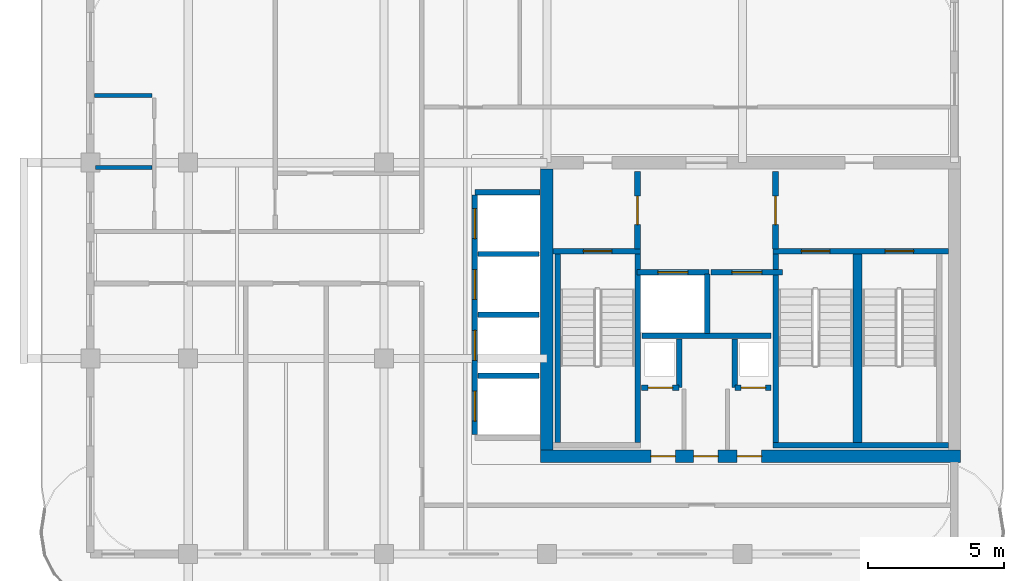
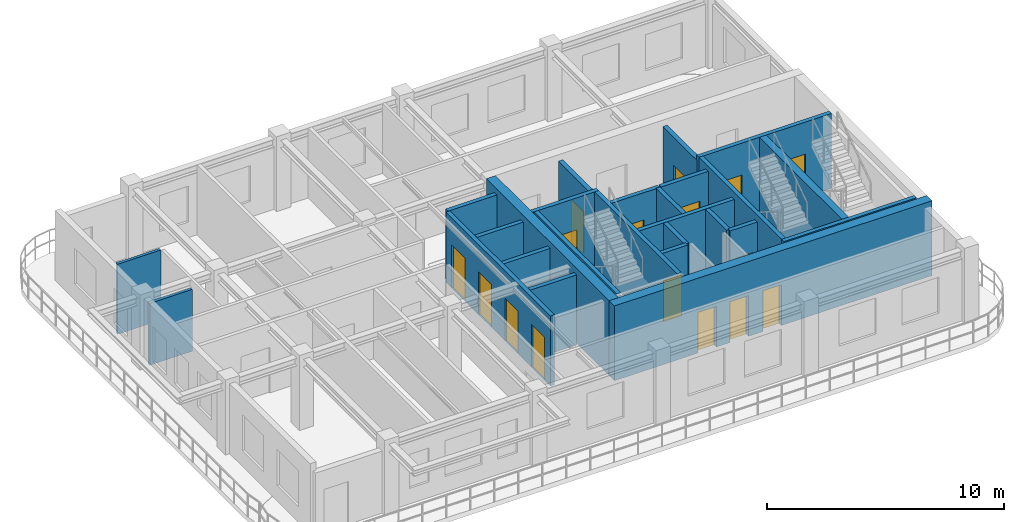
# One storey, part 3 of 7: 26 walls, 16 doors, 16 openings.
"""IFC4 building model written with IfcOpenShell, lengths in metres."""

from ifc_helpers import new_model, si_unit, derived_unit, direction, frame, frame_2d, origin, place, context, subcontext, project, spatial, rectangle, extrude, source, transform, mapped, material, layer, layer_set, type_object, type_shapes, element, fill, save


model = new_model("IFC4")

# Units and contexts
model_context = context("Model", 3, precision=1e-05, world=origin(), true_north=direction((0.0, 1.0)))
body_context = subcontext(model_context, "Body", "Model", "MODEL_VIEW")
ifc_project = project(units=[si_unit("LENGTHUNIT", "METRE"), si_unit("AREAUNIT", "SQUARE_METRE"), si_unit("VOLUMEUNIT", "CUBIC_METRE"), si_unit("PLANEANGLEUNIT", "RADIAN"), si_unit("MASSUNIT", "GRAM", prefix="KILO"), si_unit("THERMODYNAMICTEMPERATUREUNIT", "KELVIN"), si_unit("POWERUNIT", "WATT"), derived_unit("THERMALTRANSMITTANCEUNIT", [(si_unit("POWERUNIT", "WATT"), 1), (si_unit("AREAUNIT", "SQUARE_METRE"), -1), (si_unit("THERMODYNAMICTEMPERATUREUNIT", "KELVIN"), -1)])], contexts=[model_context])

# Site, building, storey
site_placement = place(None, origin())
site = spatial("IfcSite", under=ifc_project, at=site_placement, CompositionType="ELEMENT")
building_placement = place(site_placement, origin())
building = spatial("IfcBuilding", under=site, at=building_placement, Name="Zahravan Archway Hotel and Residences", CompositionType="ELEMENT")
storey_placement = place(building_placement, frame((0.0, 0.0, 282.75)))
storey = spatial("IfcBuildingStorey", under=building, at=storey_placement, Name="L71", CompositionType="ELEMENT", Elevation=282.75)

# Wall, openings, doors
ifc_material_1 = material(Name="Concrete C50/60", Category="concrete")
ifc_layer_1 = layer(ifc_material_1, 0.449951171875, Name="Concrete C50/60", Category="concrete")
ifc_layer_set_1 = layer_set([ifc_layer_1], Name="Concrete C50/60")
wall_type_1 = type_object("IfcWallType", Name="CW-CORE-450", PredefinedType="SHEAR", material=ifc_layer_set_1)
wall_1_placement = place(storey_placement, frame((34.574951171875, 3.60009765625, 0.0), z_axis=(0.0, 0.0, 1.0), x_axis=(1.0, 0.0, 0.0)))
wall_1 = element("IfcWall", 1, at=wall_1_placement, inside=storey, type_object=wall_type_1, Name="L71 Core A Shear S Wall 450 mm", PredefinedType="SHEAR", context=body_context, shape_type="SweptSolid", body=[
    extrude(rectangle(XDim=15.449951171875, YDim=0.449951171875, at=frame_2d((7.72509765625, 0.0))), origin(), (0.0, 0.0, 1.0), 3.85009765625),
])
opening_1_placement = place(wall_1_placement, frame((4.054931640625, 0.0, 0.0)))
opening_1 = element("IfcOpeningElement", 2, at=opening_1_placement, cuts=wall_1, Name="Opening FD-R1", PredefinedType="OPENING", context=body_context, shape_type="SweptSolid", body=[
    extrude(rectangle(XDim=0.89990234375, YDim=2.10009765625, at=frame_2d((0.449951171875, 1.050048828125))), frame((0.0, 0.23486328125, 0.0), z_axis=(0.0, -1.0, 0.0), x_axis=(1.0, 0.0, 0.0)), (0.0, 0.0, 1.0), 0.469970703125),
])
opening_2_placement = place(wall_1_placement, frame((5.625, 0.0, 0.0)))
opening_2 = element("IfcOpeningElement", 3, at=opening_2_placement, cuts=wall_1, Name="Opening FD-R1", PredefinedType="OPENING", context=body_context, shape_type="SweptSolid", body=[
    extrude(rectangle(XDim=0.89990234375, YDim=2.10009765625, at=frame_2d((0.449951171875, 1.050048828125))), frame((0.0, 0.23486328125, 0.0), z_axis=(0.0, -1.0, 0.0), x_axis=(1.0, 0.0, 0.0)), (0.0, 0.0, 1.0), 0.469970703125),
])
opening_3_placement = place(wall_1_placement, frame((7.22509765625, 0.0, 0.0)))
opening_3 = element("IfcOpeningElement", 4, at=opening_3_placement, cuts=wall_1, Name="Opening FD-R1", PredefinedType="OPENING", context=body_context, shape_type="SweptSolid", body=[
    extrude(rectangle(XDim=0.89990234375, YDim=2.10009765625, at=frame_2d((0.449951171875, 1.050048828125))), frame((0.0, 0.23486328125, 0.0), z_axis=(0.0, -1.0, 0.0), x_axis=(1.0, 0.0, 0.0)), (0.0, 0.0, 1.0), 0.469970703125),
])
ifc_material_2 = material(Name="Fire-Rated Painted Steel", Category="steel")
door_type_1 = type_object("IfcDoorType", Name="FD-RISER-900", OperationType="NOTDEFINED", PredefinedType="DOOR", material=ifc_material_2)
shared_shape_1 = source(origin(), body_context, "Body", "SweptSolid", [
    extrude(rectangle(XDim=0.89990234375, YDim=2.10009765625, at=frame_2d((0.449951171875, 1.050048828125))), frame((0.0, 0.02490234375, 0.0), z_axis=(0.0, -1.0, 0.0), x_axis=(1.0, 0.0, 0.0)), (0.0, 0.0, 1.0), 0.050048828125),
])
type_shapes(door_type_1, [shared_shape_1])
door_1_placement = place(opening_1_placement, origin())
door_1 = element("IfcDoor", 5, at=door_1_placement, inside=storey, type_object=door_type_1, Name="L71 Linen Store Door", OperationType="SINGLE_SWING_LEFT", OverallHeight=2.10009765625, OverallWidth=0.89990234375, PredefinedType="DOOR", context=body_context, shape_type="MappedRepresentation", body=[
    mapped(shared_shape_1, transform((0.0, 0.0, 0.0), scale=1.0)),
])
fill(opening_1, door_1)
door_2_placement = place(opening_2_placement, origin())
door_2 = element("IfcDoor", 6, at=door_2_placement, inside=storey, type_object=door_type_1, Name="L71 Housekeeping Store Door", OperationType="SINGLE_SWING_RIGHT", OverallHeight=2.10009765625, OverallWidth=0.89990234375, PredefinedType="DOOR", context=body_context, shape_type="MappedRepresentation", body=[
    mapped(shared_shape_1, transform((0.0, 0.0, 0.0), scale=1.0)),
])
fill(opening_2, door_2)
door_3_placement = place(opening_3_placement, origin())
door_3 = element("IfcDoor", 7, at=door_3_placement, inside=storey, type_object=door_type_1, Name="L71 Janitor Store Door", OperationType="SINGLE_SWING_LEFT", OverallHeight=2.10009765625, OverallWidth=0.89990234375, PredefinedType="DOOR", context=body_context, shape_type="MappedRepresentation", body=[
    mapped(shared_shape_1, transform((0.0, 0.0, 0.0), scale=1.0)),
])
fill(opening_3, door_3)

# Wall
wall_2_placement = place(storey_placement, frame((34.800048828125, 3.824951171875, 0.0), z_axis=(0.0, 0.0, 1.0), x_axis=(0.0, 1.0, 0.0)))
element("IfcWall", 8, at=wall_2_placement, inside=storey, type_object=wall_type_1, Name="L71 Core A Shear W Wall 450 mm", PredefinedType="SHEAR", context=body_context, shape_type="SweptSolid", body=[
    extrude(rectangle(XDim=10.35009765625, YDim=0.449951171875, at=frame_2d((5.175048828125, 0.0))), origin(), (0.0, 0.0, 1.0), 3.85009765625),
])

# Wall, opening, door
ifc_material_3 = material(Name="Fire-Rated Gypsum & Concrete Block", Category="concrete")
ifc_layer_2 = layer(ifc_material_3, 0.219970703125, Name="Fire-Rated Gypsum & Concrete Block", Category="concrete")
ifc_layer_set_2 = layer_set([ifc_layer_2], Name="Fire-Rated Gypsum & Concrete Block")
wall_type_2 = type_object("IfcWallType", Name="PW-COMP-220", PredefinedType="PARTITIONING", material=ifc_layer_set_2)
wall_3_placement = place(storey_placement, frame((38.139892578125, 11.219970703125, 0.0), z_axis=(0.0, 0.0, 1.0), x_axis=(0.0, 1.0, 0.0)))
wall_3 = element("IfcWall", 9, at=wall_3_placement, inside=storey, type_object=wall_type_2, Name="L71 Partition CA-LOBW", PredefinedType="PARTITIONING", context=body_context, shape_type="SweptSolid", body=[
    extrude(rectangle(XDim=2.860107421875, YDim=0.219970703125, at=frame_2d((1.43017578125, 0.0))), origin(), (0.0, 0.0, 1.0), 3.60009765625),
])
opening_4_placement = place(wall_3_placement, frame((0.905029296875, 0.0, 0.0)))
opening_4 = element("IfcOpeningElement", 10, at=opening_4_placement, cuts=wall_3, Name="Opening FD-L2", PredefinedType="OPENING", context=body_context, shape_type="SweptSolid", body=[
    extrude(rectangle(XDim=1.050048828125, YDim=2.14990234375, at=frame_2d((0.52490234375, 1.074951171875))), frame((0.0, 0.1201171875, 0.0), z_axis=(0.0, -1.0, 0.0), x_axis=(1.0, 0.0, 0.0)), (0.0, 0.0, 1.0), 0.239990234375),
])
door_type_2 = type_object("IfcDoorType", Name="FD-LOBBY-1100", OperationType="NOTDEFINED", PredefinedType="DOOR", material=ifc_material_2)
shared_shape_2 = source(origin(), body_context, "Body", "SweptSolid", [
    extrude(rectangle(XDim=1.050048828125, YDim=2.14990234375, at=frame_2d((0.52490234375, 1.074951171875))), frame((0.0, 0.02490234375, 0.0), z_axis=(0.0, -1.0, 0.0), x_axis=(1.0, 0.0, 0.0)), (0.0, 0.0, 1.0), 0.050048828125),
])
type_shapes(door_type_2, [shared_shape_2])
door_4_placement = place(opening_4_placement, origin())
door_4 = element("IfcDoor", 11, at=door_4_placement, inside=storey, type_object=door_type_2, Name="L71 Core A West Stair to FSAE Lobby Door", OperationType="SINGLE_SWING_LEFT", OverallHeight=2.14990234375, OverallWidth=1.050048828125, PredefinedType="DOOR", context=body_context, shape_type="MappedRepresentation", body=[
    mapped(shared_shape_2, transform((0.0, 0.0, 0.0), scale=1.0)),
])
fill(opening_4, door_4)

wall_4_placement = place(storey_placement, frame((43.219970703125, 11.219970703125, 0.0), z_axis=(0.0, 0.0, 1.0), x_axis=(0.0, 1.0, 0.0)))
wall_4 = element("IfcWall", 12, at=wall_4_placement, inside=storey, type_object=wall_type_2, Name="L71 Partition CA-LOBE", PredefinedType="PARTITIONING", context=body_context, shape_type="SweptSolid", body=[
    extrude(rectangle(XDim=2.860107421875, YDim=0.219970703125, at=frame_2d((1.43017578125, 0.0))), origin(), (0.0, 0.0, 1.0), 3.60009765625),
])
opening_5_placement = place(wall_4_placement, frame((0.905029296875, 0.0, 0.0)))
opening_5 = element("IfcOpeningElement", 13, at=opening_5_placement, cuts=wall_4, Name="Opening FD-L2", PredefinedType="OPENING", context=body_context, shape_type="SweptSolid", body=[
    extrude(rectangle(XDim=1.050048828125, YDim=2.14990234375, at=frame_2d((0.52490234375, 1.074951171875))), frame((0.0, 0.1201171875, 0.0), z_axis=(0.0, -1.0, 0.0), x_axis=(1.0, 0.0, 0.0)), (0.0, 0.0, 1.0), 0.239990234375),
])
door_5_placement = place(opening_5_placement, origin())
door_5 = element("IfcDoor", 14, at=door_5_placement, inside=storey, type_object=door_type_2, Name="L71 Core A East Stair to FSAE Lobby Door", OperationType="SINGLE_SWING_RIGHT", OverallHeight=2.14990234375, OverallWidth=1.050048828125, PredefinedType="DOOR", context=body_context, shape_type="MappedRepresentation", body=[
    mapped(shared_shape_2, transform((0.0, 0.0, 0.0), scale=1.0)),
])
fill(opening_5, door_5)

# Walls
ifc_layer_3 = layer(ifc_material_3, 0.199951171875, Name="Fire-Rated Gypsum & Concrete Block", Category="concrete")
ifc_layer_set_3 = layer_set([ifc_layer_3], Name="Fire-Rated Gypsum & Concrete Block")
wall_type_3 = type_object("IfcWallType", Name="PW-SHAFT-200", PredefinedType="PARTITIONING", material=ifc_layer_set_3)
wall_5_placement = place(storey_placement, frame((38.300048828125, 8.030029296875, 0.0), z_axis=(0.0, 0.0, 1.0), x_axis=(1.0, 0.0, 0.0)))
element("IfcWall", 15, at=wall_5_placement, inside=storey, type_object=wall_type_3, Name="L71 Partition CA-FLS", PredefinedType="PARTITIONING", context=body_context, shape_type="SweptSolid", body=[
    extrude(rectangle(XDim=4.739990234375, YDim=0.199951171875, at=frame_2d((2.3701171875, 0.0))), origin(), (0.0, 0.0, 1.0), 3.60009765625),
])
wall_6_placement = place(storey_placement, frame((40.699951171875, 8.1201171875, 0.0), z_axis=(0.0, 0.0, 1.0), x_axis=(0.0, 1.0, 0.0)))
element("IfcWall", 16, at=wall_6_placement, inside=storey, type_object=wall_type_3, Name="L71 Partition CA-FLM", PredefinedType="PARTITIONING", context=body_context, shape_type="SweptSolid", body=[
    extrude(rectangle(XDim=2.179931640625, YDim=0.199951171875, at=frame_2d((1.08984375, 0.0))), origin(), (0.0, 0.0, 1.0), 3.60009765625),
])

# Wall, opening, door
wall_7_placement = place(storey_placement, frame((38.2900390625, 6.1201171875, 0.0), z_axis=(0.0, 0.0, 1.0), x_axis=(1.0, 0.0, 0.0)))
wall_7 = element("IfcWall", 17, at=wall_7_placement, inside=storey, type_object=wall_type_3, Name="L71 Partition CA-SMKS", PredefinedType="PARTITIONING", context=body_context, shape_type="SweptSolid", body=[
    extrude(rectangle(XDim=1.3798828125, YDim=0.199951171875, at=frame_2d((0.68994140625, 0.0))), origin(), (0.0, 0.0, 1.0), 3.60009765625),
])
opening_6_placement = place(wall_7_placement, frame((0.239990234375, 0.0, 0.0)))
opening_6 = element("IfcOpeningElement", 18, at=opening_6_placement, cuts=wall_7, Name="Opening FD-R1", PredefinedType="OPENING", context=body_context, shape_type="SweptSolid", body=[
    extrude(rectangle(XDim=0.89990234375, YDim=2.10009765625, at=frame_2d((0.449951171875, 1.050048828125))), frame((0.0, 0.10986328125, 0.0), z_axis=(0.0, -1.0, 0.0), x_axis=(1.0, 0.0, 0.0)), (0.0, 0.0, 1.0), 0.219970703125),
])
door_6_placement = place(opening_6_placement, origin())
door_6 = element("IfcDoor", 19, at=door_6_placement, inside=storey, type_object=door_type_1, Name="L71 Smoke Riser Access Door", OperationType="SINGLE_SWING_LEFT", OverallHeight=2.10009765625, OverallWidth=0.89990234375, PredefinedType="DOOR", context=body_context, shape_type="MappedRepresentation", body=[
    mapped(shared_shape_1, transform((0.0, 0.0, 0.0), scale=1.0)),
])
fill(opening_6, door_6)

# Wall
wall_8_placement = place(storey_placement, frame((39.679931640625, 6.1298828125, 0.0), z_axis=(0.0, 0.0, 1.0), x_axis=(0.0, 1.0, 0.0)))
element("IfcWall", 20, at=wall_8_placement, inside=storey, type_object=wall_type_3, Name="L71 Partition CA-SMKE", PredefinedType="PARTITIONING", context=body_context, shape_type="SweptSolid", body=[
    extrude(rectangle(XDim=1.7900390625, YDim=0.199951171875, at=frame_2d((0.89501953125, 0.0))), origin(), (0.0, 0.0, 1.0), 3.60009765625),
])

# Wall, opening, door
wall_9_placement = place(storey_placement, frame((41.72998046875, 6.1201171875, 0.0), z_axis=(0.0, 0.0, 1.0), x_axis=(1.0, 0.0, 0.0)))
wall_9 = element("IfcWall", 21, at=wall_9_placement, inside=storey, type_object=wall_type_3, Name="L71 Partition CA-MEPS", PredefinedType="PARTITIONING", context=body_context, shape_type="SweptSolid", body=[
    extrude(rectangle(XDim=1.320068359375, YDim=0.199951171875, at=frame_2d((0.66015625, 0.0))), origin(), (0.0, 0.0, 1.0), 3.60009765625),
])
opening_7_placement = place(wall_9_placement, frame((0.219970703125, 0.0, 0.0)))
opening_7 = element("IfcOpeningElement", 22, at=opening_7_placement, cuts=wall_9, Name="Opening FD-R1", PredefinedType="OPENING", context=body_context, shape_type="SweptSolid", body=[
    extrude(rectangle(XDim=0.89990234375, YDim=2.10009765625, at=frame_2d((0.449951171875, 1.050048828125))), frame((0.0, 0.10986328125, 0.0), z_axis=(0.0, -1.0, 0.0), x_axis=(1.0, 0.0, 0.0)), (0.0, 0.0, 1.0), 0.219970703125),
])
door_7_placement = place(opening_7_placement, origin())
door_7 = element("IfcDoor", 23, at=door_7_placement, inside=storey, type_object=door_type_1, Name="L71 MEP Riser Access Door", OperationType="SINGLE_SWING_RIGHT", OverallHeight=2.10009765625, OverallWidth=0.89990234375, PredefinedType="DOOR", context=body_context, shape_type="MappedRepresentation", body=[
    mapped(shared_shape_1, transform((0.0, 0.0, 0.0), scale=1.0)),
])
fill(opening_7, door_7)

# Walls
wall_10_placement = place(storey_placement, frame((41.719970703125, 6.1298828125, 0.0), z_axis=(0.0, 0.0, 1.0), x_axis=(0.0, 1.0, 0.0)))
element("IfcWall", 24, at=wall_10_placement, inside=storey, type_object=wall_type_3, Name="L71 Partition CA-MEPW", PredefinedType="PARTITIONING", context=body_context, shape_type="SweptSolid", body=[
    extrude(rectangle(XDim=1.7900390625, YDim=0.199951171875, at=frame_2d((0.89501953125, 0.0))), origin(), (0.0, 0.0, 1.0), 3.60009765625),
])
wall_11_placement = place(storey_placement, frame((32.159912109375, 13.320068359375, 0.0), z_axis=(0.0, 0.0, 1.0), x_axis=(1.0, 0.0, 0.0)))
element("IfcWall", 25, at=wall_11_placement, inside=storey, type_object=wall_type_3, Name="L71 Partition B3-N", PredefinedType="PARTITIONING", context=body_context, shape_type="SweptSolid", body=[
    extrude(rectangle(XDim=2.385009765625, YDim=0.199951171875, at=frame_2d((1.1923828125, 0.0))), origin(), (0.0, 0.0, 1.0), 3.60009765625),
])

# Wall, openings, doors
wall_12_placement = place(storey_placement, frame((32.14990234375, 4.389892578125, 0.0), z_axis=(0.0, 0.0, 1.0), x_axis=(0.0, 1.0, 0.0)))
wall_12 = element("IfcWall", 26, at=wall_12_placement, inside=storey, type_object=wall_type_3, Name="L71 Partition B3-W", PredefinedType="PARTITIONING", context=body_context, shape_type="SweptSolid", body=[
    extrude(rectangle(XDim=8.820068359375, YDim=0.199951171875, at=frame_2d((4.41015625, 0.0))), origin(), (0.0, 0.0, 1.0), 3.60009765625),
])
opening_8_placement = place(wall_12_placement, frame((0.5, 0.0, 0.0)))
opening_8 = element("IfcOpeningElement", 27, at=opening_8_placement, cuts=wall_12, Name="Opening LD", PredefinedType="OPENING", context=body_context, shape_type="SweptSolid", body=[
    extrude(rectangle(XDim=1.10009765625, YDim=2.199951171875, at=frame_2d((0.550048828125, 1.10009765625))), frame((0.0, 0.10986328125, 0.0), z_axis=(0.0, -1.0, 0.0), x_axis=(1.0, 0.0, 0.0)), (0.0, 0.0, 1.0), 0.219970703125),
])
opening_9_placement = place(wall_12_placement, frame((2.739990234375, 0.0, 0.0)))
opening_9 = element("IfcOpeningElement", 28, at=opening_9_placement, cuts=wall_12, Name="Opening LD", PredefinedType="OPENING", context=body_context, shape_type="SweptSolid", body=[
    extrude(rectangle(XDim=1.10009765625, YDim=2.199951171875, at=frame_2d((0.550048828125, 1.10009765625))), frame((0.0, 0.10986328125, 0.0), z_axis=(0.0, -1.0, 0.0), x_axis=(1.0, 0.0, 0.0)), (0.0, 0.0, 1.0), 0.219970703125),
])
opening_10_placement = place(wall_12_placement, frame((4.97998046875, 0.0, 0.0)))
opening_10 = element("IfcOpeningElement", 29, at=opening_10_placement, cuts=wall_12, Name="Opening LD", PredefinedType="OPENING", context=body_context, shape_type="SweptSolid", body=[
    extrude(rectangle(XDim=1.10009765625, YDim=2.199951171875, at=frame_2d((0.550048828125, 1.10009765625))), frame((0.0, 0.10986328125, 0.0), z_axis=(0.0, -1.0, 0.0), x_axis=(1.0, 0.0, 0.0)), (0.0, 0.0, 1.0), 0.219970703125),
])
opening_11_placement = place(wall_12_placement, frame((7.219970703125, 0.0, 0.0)))
opening_11 = element("IfcOpeningElement", 30, at=opening_11_placement, cuts=wall_12, Name="Opening LD", PredefinedType="OPENING", context=body_context, shape_type="SweptSolid", body=[
    extrude(rectangle(XDim=1.10009765625, YDim=2.199951171875, at=frame_2d((0.550048828125, 1.10009765625))), frame((0.0, 0.10986328125, 0.0), z_axis=(0.0, -1.0, 0.0), x_axis=(1.0, 0.0, 0.0)), (0.0, 0.0, 1.0), 0.219970703125),
])
ifc_material_4 = material(Name="Brushed Stainless Steel", Category="steel")
door_type_3 = type_object("IfcDoorType", Name="DR-LIFT-LD", OperationType="SLIDING_TO_LEFT", PredefinedType="DOOR", material=ifc_material_4)
shared_shape_3 = source(origin(), body_context, "Body", "SweptSolid", [
    extrude(rectangle(XDim=1.10009765625, YDim=2.199951171875, at=frame_2d((0.550048828125, 1.10009765625))), frame((0.0, 0.02490234375, 0.0), z_axis=(0.0, -1.0, 0.0), x_axis=(1.0, 0.0, 0.0)), (0.0, 0.0, 1.0), 0.050048828125),
])
type_shapes(door_type_3, [shared_shape_3])
door_8_placement = place(opening_8_placement, origin())
door_8 = element("IfcDoor", 31, at=door_8_placement, inside=storey, type_object=door_type_3, Name="L71 Lift LP-7 Sliding Landing Door", OperationType="SLIDING_TO_LEFT", OverallHeight=2.199951171875, OverallWidth=1.10009765625, PredefinedType="DOOR", context=body_context, shape_type="MappedRepresentation", body=[
    mapped(shared_shape_3, transform((0.0, 0.0, 0.0), scale=1.0)),
])
fill(opening_8, door_8)
door_9_placement = place(opening_9_placement, origin())
door_9 = element("IfcDoor", 32, at=door_9_placement, inside=storey, type_object=door_type_3, Name="L71 Lift LP-8 Sliding Landing Door", OperationType="SLIDING_TO_LEFT", OverallHeight=2.199951171875, OverallWidth=1.10009765625, PredefinedType="DOOR", context=body_context, shape_type="MappedRepresentation", body=[
    mapped(shared_shape_3, transform((0.0, 0.0, 0.0), scale=1.0)),
])
fill(opening_9, door_9)
door_10_placement = place(opening_10_placement, origin())
door_10 = element("IfcDoor", 33, at=door_10_placement, inside=storey, type_object=door_type_3, Name="L71 Lift LP-9 Sliding Landing Door", OperationType="SLIDING_TO_LEFT", OverallHeight=2.199951171875, OverallWidth=1.10009765625, PredefinedType="DOOR", context=body_context, shape_type="MappedRepresentation", body=[
    mapped(shared_shape_3, transform((0.0, 0.0, 0.0), scale=1.0)),
])
fill(opening_10, door_10)
door_11_placement = place(opening_11_placement, origin())
door_11 = element("IfcDoor", 34, at=door_11_placement, inside=storey, type_object=door_type_3, Name="L71 Lift LP-10 Sliding Landing Door", OperationType="SLIDING_TO_LEFT", OverallHeight=2.199951171875, OverallWidth=1.10009765625, PredefinedType="DOOR", context=body_context, shape_type="MappedRepresentation", body=[
    mapped(shared_shape_3, transform((0.0, 0.0, 0.0), scale=1.0)),
])
fill(opening_11, door_11)

# Walls
for number, where, z_axis, x_axis, name in (
    (35, (32.260009765625, 6.56005859375, 0.0), (0.0, 0.0, 1.0), (1.0, 0.0, 0.0), "L71 Partition B3-D"),
    (36, (32.260009765625, 8.800048828125, 0.0), (0.0, 0.0, 1.0), (1.0, 0.0, 0.0), "L71 Partition B3-D"),
    (37, (32.260009765625, 11.0400390625, 0.0), (0.0, 0.0, 1.0), (1.0, 0.0, 0.0), "L71 Partition B3-D"),
):
    element("IfcWall", number, at=place(storey_placement, frame(where, z_axis=z_axis, x_axis=x_axis)), inside=storey, type_object=wall_type_3, Name=name, PredefinedType="PARTITIONING", context=body_context, shape_type="SweptSolid", body=[
        extrude(rectangle(XDim=2.2548828125, YDim=0.199951171875, at=frame_2d((1.12744140625, 0.0))), origin(), (0.0, 0.0, 1.0), 3.60009765625),
    ])

# Wall, opening, door
wall_13_placement = place(storey_placement, frame((38.1201171875, 10.3701171875, 0.0), z_axis=(0.0, 0.0, 1.0), x_axis=(1.0, 0.0, 0.0)))
wall_13 = element("IfcWall", 38, at=wall_13_placement, inside=storey, type_object=wall_type_3, Name="L71 Lift FL-1 Front Wall", PredefinedType="PARTITIONING", context=body_context, shape_type="SweptSolid", body=[
    extrude(rectangle(XDim=2.639892578125, YDim=0.199951171875, at=frame_2d((1.31982421875, 0.0))), origin(), (0.0, 0.0, 1.0), 3.60009765625),
])
opening_12_placement = place(wall_13_placement, frame((0.77001953125, 0.0, 0.0)))
opening_12 = element("IfcOpeningElement", 39, at=opening_12_placement, cuts=wall_13, Name="Opening LD", PredefinedType="OPENING", context=body_context, shape_type="SweptSolid", body=[
    extrude(rectangle(XDim=1.10009765625, YDim=2.199951171875, at=frame_2d((0.550048828125, 1.10009765625))), frame((0.0, 0.10986328125, 0.0), z_axis=(0.0, -1.0, 0.0), x_axis=(1.0, 0.0, 0.0)), (0.0, 0.0, 1.0), 0.219970703125),
])
door_12_placement = place(opening_12_placement, origin())
door_12 = element("IfcDoor", 40, at=door_12_placement, inside=storey, type_object=door_type_3, Name="L71 Lift FL-1 Sliding Landing Door", OperationType="SLIDING_TO_LEFT", OverallHeight=2.199951171875, OverallWidth=1.10009765625, PredefinedType="DOOR", context=body_context, shape_type="MappedRepresentation", body=[
    mapped(shared_shape_3, transform((0.0, 0.0, 0.0), scale=1.0)),
])
fill(opening_12, door_12)

wall_14_placement = place(storey_placement, frame((40.840087890625, 10.3701171875, 0.0), z_axis=(0.0, 0.0, 1.0), x_axis=(1.0, 0.0, 0.0)))
wall_14 = element("IfcWall", 41, at=wall_14_placement, inside=storey, type_object=wall_type_3, Name="L71 Lift FL-2 Front Wall", PredefinedType="PARTITIONING", context=body_context, shape_type="SweptSolid", body=[
    extrude(rectangle(XDim=2.639892578125, YDim=0.199951171875, at=frame_2d((1.31982421875, 0.0))), origin(), (0.0, 0.0, 1.0), 3.60009765625),
])
opening_13_placement = place(wall_14_placement, frame((0.77001953125, 0.0, 0.0)))
opening_13 = element("IfcOpeningElement", 42, at=opening_13_placement, cuts=wall_14, Name="Opening LD", PredefinedType="OPENING", context=body_context, shape_type="SweptSolid", body=[
    extrude(rectangle(XDim=1.10009765625, YDim=2.199951171875, at=frame_2d((0.550048828125, 1.10009765625))), frame((0.0, 0.10986328125, 0.0), z_axis=(0.0, -1.0, 0.0), x_axis=(1.0, 0.0, 0.0)), (0.0, 0.0, 1.0), 0.219970703125),
])
door_13_placement = place(opening_13_placement, origin())
door_13 = element("IfcDoor", 43, at=door_13_placement, inside=storey, type_object=door_type_3, Name="L71 Lift FL-2 Sliding Landing Door", OperationType="SLIDING_TO_LEFT", OverallHeight=2.199951171875, OverallWidth=1.10009765625, PredefinedType="DOOR", context=body_context, shape_type="MappedRepresentation", body=[
    mapped(shared_shape_3, transform((0.0, 0.0, 0.0), scale=1.0)),
])
fill(opening_13, door_13)

# Walls
ifc_material_5 = material(Name="Moisture-Resistant Blockwork", Category="masonry")
ifc_layer_4 = layer(ifc_material_5, 0.139892578125, Name="Moisture-Resistant Blockwork", Category="masonry")
ifc_layer_set_4 = layer_set([ifc_layer_4], Name="Moisture-Resistant Blockwork")
wall_type_4 = type_object("IfcWallType", Name="PW-WET-140", PredefinedType="PARTITIONING", material=ifc_layer_set_4)
wall_15_placement = place(storey_placement, frame((18.18994140625, 14.219970703125, 0.0), z_axis=(0.0, 0.0, 1.0), x_axis=(1.0, 0.0, 0.0)))
element("IfcWall", 44, at=wall_15_placement, inside=storey, type_object=wall_type_4, Name="L71 Partition FL-N1-BM", PredefinedType="PARTITIONING", context=body_context, shape_type="SweptSolid", body=[
    extrude(rectangle(XDim=2.070068359375, YDim=0.139892578125, at=frame_2d((1.03515625, 0.0))), origin(), (0.0, 0.0, 1.0), 3.18505859375),
])
wall_16_placement = place(storey_placement, frame((18.14794921875, 16.8701171875, 0.0), z_axis=(0.0, 0.0, 1.0), x_axis=(1.0, 0.0, 0.0)))
element("IfcWall", 45, at=wall_16_placement, inside=storey, type_object=wall_type_4, Name="L71 Partition FL-N1-KH", PredefinedType="PARTITIONING", context=body_context, shape_type="SweptSolid", body=[
    extrude(rectangle(XDim=2.112060546875, YDim=0.139892578125, at=frame_2d((1.05615234375, 0.0))), origin(), (0.0, 0.0, 1.0), 3.60009765625),
])
ifc_layer_5 = layer(ifc_material_1, 0.199951171875, Name="Concrete C50/60", Category="concrete")
ifc_layer_set_5 = layer_set([ifc_layer_5], Name="Concrete C50/60")
wall_type_5 = type_object("IfcWallType", Name="SW-STAIR-200", PredefinedType="SHEAR", material=ifc_layer_set_5)
for number, where, z_axis, x_axis, name in (
    (46, (35.199951171875, 4.10009765625, 0.0), (0.0, 0.0, 1.0), (0.0, 1.0, 0.0), "L71 Stairwell RC Wall CA-SA1W"),
    (47, (38.139892578125, 4.10009765625, 0.0), (0.0, 0.0, 1.0), (0.0, 1.0, 0.0), "L71 Stairwell RC Wall CA-SA1E"),
):
    element("IfcWall", number, at=place(storey_placement, frame(where, z_axis=z_axis, x_axis=x_axis)), inside=storey, type_object=wall_type_5, Name=name, PredefinedType="SHEAR", context=body_context, shape_type="SweptSolid", body=[
        extrude(rectangle(XDim=6.949951171875, YDim=0.199951171875, at=frame_2d((3.47509765625, 0.0))), origin(), (0.0, 0.0, 1.0), 3.85009765625),
    ])

# Wall, opening, door
wall_17_placement = place(storey_placement, frame((35.02490234375, 11.14990234375, 0.0), z_axis=(0.0, 0.0, 1.0), x_axis=(1.0, 0.0, 0.0)))
wall_17 = element("IfcWall", 48, at=wall_17_placement, inside=storey, type_object=wall_type_5, Name="L71 Stairwell RC Wall CA-SA1N", PredefinedType="SHEAR", context=body_context, shape_type="SweptSolid", body=[
    extrude(rectangle(XDim=3.215087890625, YDim=0.199951171875, at=frame_2d((1.607421875, 0.0))), origin(), (0.0, 0.0, 1.0), 3.85009765625),
])
opening_14_placement = place(wall_17_placement, frame((1.1201171875, 0.0, 0.0)))
opening_14 = element("IfcOpeningElement", 49, at=opening_14_placement, cuts=wall_17, Name="Opening FD-S1", PredefinedType="OPENING", context=body_context, shape_type="SweptSolid", body=[
    extrude(rectangle(XDim=1.050048828125, YDim=2.199951171875, at=frame_2d((0.52490234375, 1.10009765625))), frame((0.0, 0.10986328125, 0.0), z_axis=(0.0, -1.0, 0.0), x_axis=(1.0, 0.0, 0.0)), (0.0, 0.0, 1.0), 0.219970703125),
])
door_type_4 = type_object("IfcDoorType", Name="FD-STAIR-1100", OperationType="NOTDEFINED", PredefinedType="DOOR", material=ifc_material_2)
shared_shape_4 = source(origin(), body_context, "Body", "SweptSolid", [
    extrude(rectangle(XDim=1.050048828125, YDim=2.199951171875, at=frame_2d((0.52490234375, 1.10009765625))), frame((0.0, 0.02490234375, 0.0), z_axis=(0.0, -1.0, 0.0), x_axis=(1.0, 0.0, 0.0)), (0.0, 0.0, 1.0), 0.050048828125),
])
type_shapes(door_type_4, [shared_shape_4])
door_14_placement = place(opening_14_placement, origin())
door_14 = element("IfcDoor", 50, at=door_14_placement, inside=storey, type_object=door_type_4, Name="L71 Stair ST-A1 Door", OperationType="SINGLE_SWING_RIGHT", OverallHeight=2.199951171875, OverallWidth=1.050048828125, PredefinedType="DOOR", context=body_context, shape_type="MappedRepresentation", body=[
    mapped(shared_shape_4, transform((0.0, 0.0, 0.0), scale=1.0)),
])
fill(opening_14, door_14)

# Walls
wall_18_placement = place(storey_placement, frame((43.1201171875, 4.0, 0.0), z_axis=(0.0, 0.0, 1.0), x_axis=(1.0, 0.0, 0.0)))
element("IfcWall", 51, at=wall_18_placement, inside=storey, type_object=wall_type_5, Name="L71 Stairwell RC Wall CA-SA23S", PredefinedType="SHEAR", context=body_context, shape_type="SweptSolid", body=[
    extrude(rectangle(XDim=6.454833984375, YDim=0.199951171875, at=frame_2d((3.2275390625, 0.0))), origin(), (0.0, 0.0, 1.0), 3.85009765625),
])
wall_19_placement = place(storey_placement, frame((43.219970703125, 4.10009765625, 0.0), z_axis=(0.0, 0.0, 1.0), x_axis=(0.0, 1.0, 0.0)))
element("IfcWall", 52, at=wall_19_placement, inside=storey, type_object=wall_type_5, Name="L71 Stairwell RC Wall CA-SA2W", PredefinedType="SHEAR", context=body_context, shape_type="SweptSolid", body=[
    extrude(rectangle(XDim=6.949951171875, YDim=0.199951171875, at=frame_2d((3.47509765625, 0.0))), origin(), (0.0, 0.0, 1.0), 3.85009765625),
])

# Wall, openings, doors
wall_20_placement = place(storey_placement, frame((43.1201171875, 11.14990234375, 0.0), z_axis=(0.0, 0.0, 1.0), x_axis=(1.0, 0.0, 0.0)))
wall_20 = element("IfcWall", 53, at=wall_20_placement, inside=storey, type_object=wall_type_5, Name="L71 Stairwell RC Wall CA-SA23N", PredefinedType="SHEAR", context=body_context, shape_type="SweptSolid", body=[
    extrude(rectangle(XDim=6.454833984375, YDim=0.199951171875, at=frame_2d((3.2275390625, 0.0))), origin(), (0.0, 0.0, 1.0), 3.85009765625),
])
opening_15_placement = place(wall_20_placement, frame((1.044921875, 0.0, 0.0)))
opening_15 = element("IfcOpeningElement", 54, at=opening_15_placement, cuts=wall_20, Name="Opening FD-S1", PredefinedType="OPENING", context=body_context, shape_type="SweptSolid", body=[
    extrude(rectangle(XDim=1.050048828125, YDim=2.199951171875, at=frame_2d((0.52490234375, 1.10009765625))), frame((0.0, 0.10986328125, 0.0), z_axis=(0.0, -1.0, 0.0), x_axis=(1.0, 0.0, 0.0)), (0.0, 0.0, 1.0), 0.219970703125),
])
opening_16_placement = place(wall_20_placement, frame((4.125, 0.0, 0.0)))
opening_16 = element("IfcOpeningElement", 55, at=opening_16_placement, cuts=wall_20, Name="Opening FD-S1", PredefinedType="OPENING", context=body_context, shape_type="SweptSolid", body=[
    extrude(rectangle(XDim=1.050048828125, YDim=2.199951171875, at=frame_2d((0.52490234375, 1.10009765625))), frame((0.0, 0.10986328125, 0.0), z_axis=(0.0, -1.0, 0.0), x_axis=(1.0, 0.0, 0.0)), (0.0, 0.0, 1.0), 0.219970703125),
])
door_15_placement = place(opening_15_placement, origin())
door_15 = element("IfcDoor", 56, at=door_15_placement, inside=storey, type_object=door_type_4, Name="L71 Stair ST-A2 Door", OperationType="SINGLE_SWING_LEFT", OverallHeight=2.199951171875, OverallWidth=1.050048828125, PredefinedType="DOOR", context=body_context, shape_type="MappedRepresentation", body=[
    mapped(shared_shape_4, transform((0.0, 0.0, 0.0), scale=1.0)),
])
fill(opening_15, door_15)
door_16_placement = place(opening_16_placement, origin())
door_16 = element("IfcDoor", 57, at=door_16_placement, inside=storey, type_object=door_type_4, Name="L71 Stair ST-A3 Door", OperationType="SINGLE_SWING_RIGHT", OverallHeight=2.199951171875, OverallWidth=1.050048828125, PredefinedType="DOOR", context=body_context, shape_type="MappedRepresentation", body=[
    mapped(shared_shape_4, transform((0.0, 0.0, 0.0), scale=1.0)),
])
fill(opening_16, door_16)

# Wall
ifc_layer_6 = layer(ifc_material_1, 0.340087890625, Name="Concrete C50/60", Category="concrete")
ifc_layer_set_6 = layer_set([ifc_layer_6], Name="Concrete C50/60")
wall_type_6 = type_object("IfcWallType", Name="SW-STAIR-340", PredefinedType="SHEAR", material=ifc_layer_set_6)
wall_21_placement = place(storey_placement, frame((46.22998046875, 4.10009765625, 0.0), z_axis=(0.0, 0.0, 1.0), x_axis=(0.0, 1.0, 0.0)))
element("IfcWall", 58, at=wall_21_placement, inside=storey, type_object=wall_type_6, Name="L71 Stairwell RC Wall CA-SA23M", PredefinedType="SHEAR", context=body_context, shape_type="SweptSolid", body=[
    extrude(rectangle(XDim=6.949951171875, YDim=0.340087890625, at=frame_2d((3.47509765625, 0.0))), origin(), (0.0, 0.0, 1.0), 3.85009765625),
])

save(model, "model.ifc")
